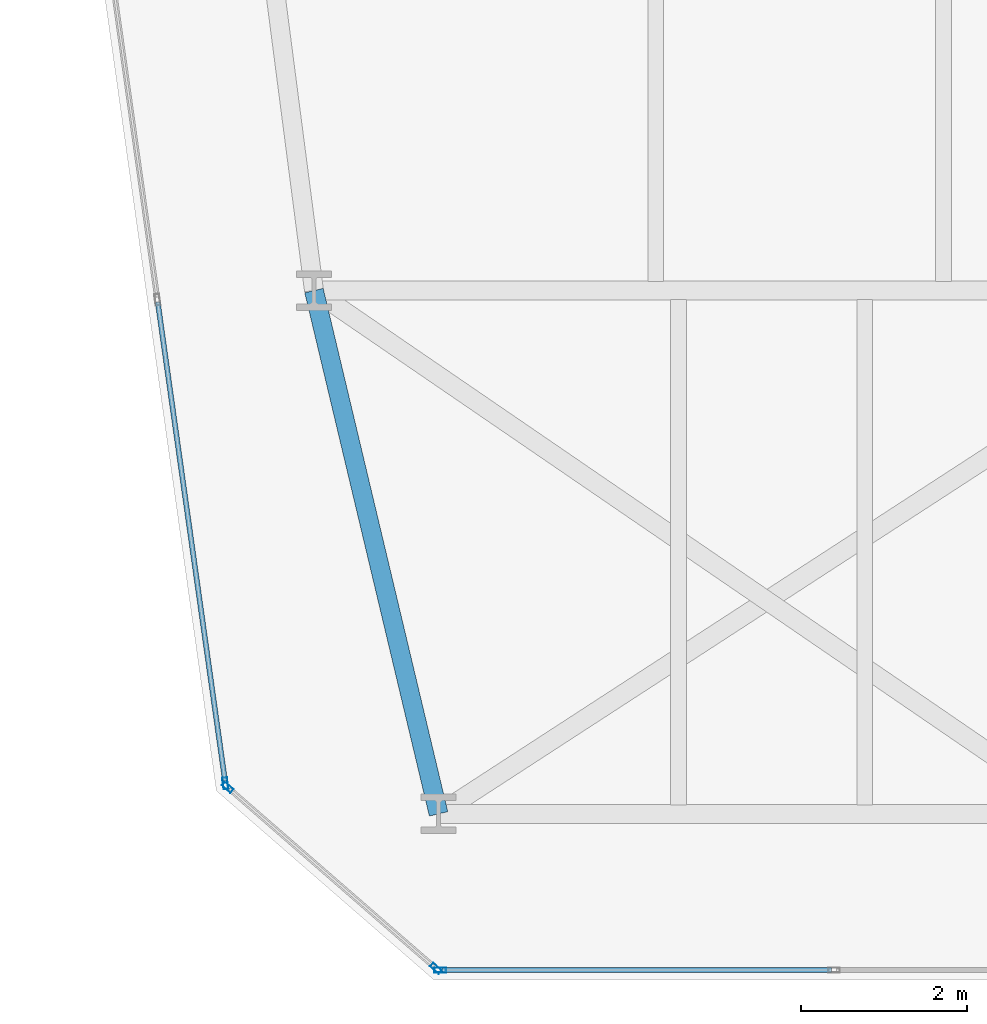
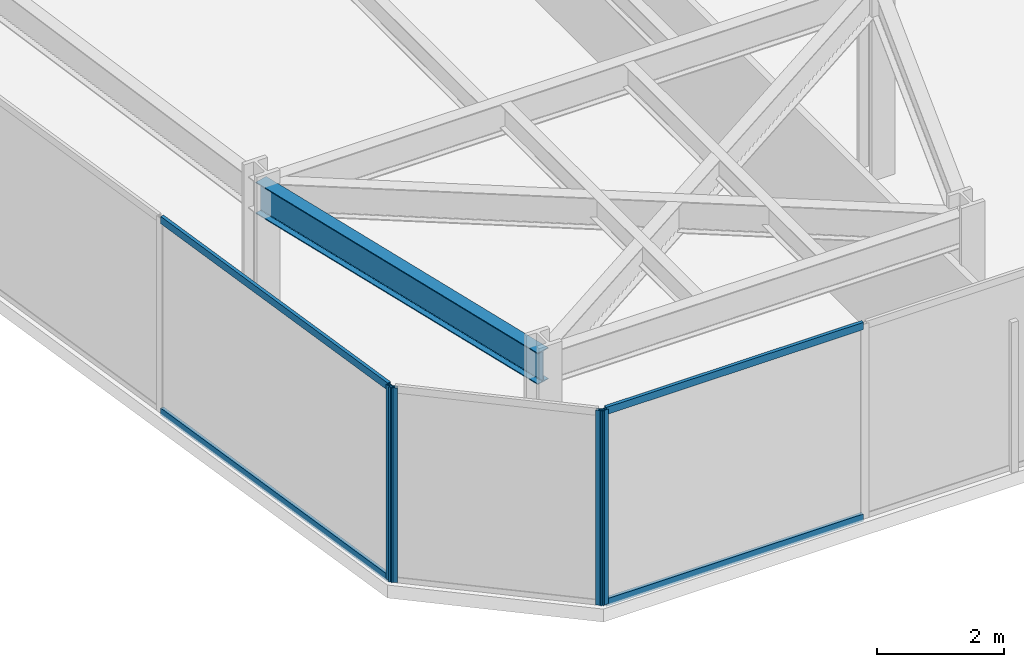
# One storey, part 2 of 26: 8 members, 1 beam, 3 elements without a shape of their own.
"""IFC4 building model written with IfcOpenShell, lengths in metres."""

from ifc_helpers import new_model, si_unit, direction, frame, origin, origin_2d, place, context, subcontext, project, spatial, hollow_rectangle, i_section, extrude, material, layer, layer_set, material_profile, profile_set, type_object, element, aggregate, save


model = new_model("IFC4")

# Units and contexts
model_context = context("Model", 3, precision=1e-05, world=origin(), true_north=direction((0.0, 1.0)))
body_context = subcontext(model_context, "Body", "Model", "MODEL_VIEW")
ifc_project = project(units=[si_unit("LENGTHUNIT", "METRE"), si_unit("AREAUNIT", "SQUARE_METRE"), si_unit("VOLUMEUNIT", "CUBIC_METRE"), si_unit("PLANEANGLEUNIT", "RADIAN"), si_unit("MASSUNIT", "GRAM", prefix="KILO")], contexts=[model_context])

# Site, building, storey
site_placement = place(None, origin())
site = spatial("IfcSite", under=ifc_project, at=site_placement, CompositionType="ELEMENT")
building_placement = place(site_placement, origin())
building = spatial("IfcBuilding", under=site, at=building_placement, Name="Kravanh Interchange Tower", CompositionType="ELEMENT")
storey_placement = place(building_placement, frame((0.0, 0.0, 108.0)))
storey = spatial("IfcBuildingStorey", under=building, at=storey_placement, Name="L25", CompositionType="ELEMENT", Elevation=108.0)

# Curtain wall, member
ifc_material_1 = material(Name="Anodised Bronze Aluminium", Category="aluminium")
ifc_layer = layer(ifc_material_1, 0.179931640625)
ifc_layer_set = layer_set([ifc_layer], Name="Unitised Curtain Wall System CW-Z2 Mid Office")
curtain_wall_type = type_object("IfcCurtainWallType", Name="Unitised Curtain Wall System CW-Z2 Mid Office", PredefinedType="NOTDEFINED", material=ifc_layer_set)
curtain_wall_1_placement = place(storey_placement, origin())
curtain_wall_1 = element("IfcCurtainWall", 1, at=curtain_wall_1_placement, inside=storey, type_object=curtain_wall_type, Name="L25 Unitised Curtain Wall CW-L25-01", PredefinedType="NOTDEFINED")
ifc_material_2 = material(Name="Anodised Bronze Aluminium", Category="aluminium")
ifc_material_profile_1 = material_profile(ifc_material_2, hollow_rectangle(XDim=0.06005859375, YDim=0.139892578125, WallThickness=0.00390625, at=origin_2d()), Name="ALU60X140X4")
ifc_profile_set_1 = profile_set([ifc_material_profile_1], Name="Anodised Bronze Aluminium")
member_type_1 = type_object("IfcMemberType", Name="Curtain Wall Mullion ALU60X140X4 Bronze", PredefinedType="MULLION", material=ifc_profile_set_1)
member_1_placement = place(storey_placement, frame((14.93310546875, 8.568359375, 0.0), z_axis=(0.0, 0.0, 1.0), x_axis=(-0.990268103846, -0.13917285118, 0.0)))
member_1 = element("IfcMember", 2, at=member_1_placement, type_object=member_type_1, Name="CW-Z2 mullion 1", PredefinedType="MULLION", context=body_context, shape_type="SweptSolid", body=[
    extrude(hollow_rectangle(XDim=0.06005859375, YDim=0.139892578125, WallThickness=0.00390625, at=origin_2d()), origin(), (0.0, 0.0, 1.0), 3.75),
])

curtain_wall_2_placement = place(storey_placement, origin())
curtain_wall_2 = element("IfcCurtainWall", 3, at=curtain_wall_2_placement, inside=storey, type_object=curtain_wall_type, Name="L25 Unitised Curtain Wall CW-L25-06", PredefinedType="NOTDEFINED")
member_2_placement = place(storey_placement, frame((17.519775390625, 6.320068359375, 0.0), z_axis=(0.0, 0.0, 1.0), x_axis=(0.0, -1.0, 0.0)))
member_2 = element("IfcMember", 4, at=member_2_placement, type_object=member_type_1, Name="CW-Z2 mullion 3", PredefinedType="MULLION", context=body_context, shape_type="SweptSolid", body=[
    extrude(hollow_rectangle(XDim=0.06005859375, YDim=0.139892578125, WallThickness=0.00390625, at=origin_2d()), origin(), (0.0, 0.0, 1.0), 3.75),
])

# Curtain wall, members
curtain_wall_3_placement = place(storey_placement, origin())
curtain_wall_3 = element("IfcCurtainWall", 5, at=curtain_wall_3_placement, inside=storey, type_object=curtain_wall_type, Name="L25 Unitised Curtain Wall CW-L25-07", PredefinedType="NOTDEFINED")
member_3_placement = place(storey_placement, frame((17.467041015625, 6.339599609375, 0.0), z_axis=(0.0, 0.0, 1.0), x_axis=(-0.656047665617, -0.754719458103, 0.0)))
member_3 = element("IfcMember", 6, at=member_3_placement, type_object=member_type_1, Name="CW-Z2 mullion 1", PredefinedType="MULLION", context=body_context, shape_type="SweptSolid", body=[
    extrude(hollow_rectangle(XDim=0.06005859375, YDim=0.139892578125, WallThickness=0.00390625, at=origin_2d()), origin(), (0.0, 0.0, 1.0), 3.75),
])
member_4_placement = place(storey_placement, frame((14.9599609375, 8.51904296875, 0.0), z_axis=(0.0, 0.0, 1.0), x_axis=(-0.656047665617, -0.754719458103, 0.0)))
member_4 = element("IfcMember", 7, at=member_4_placement, type_object=member_type_1, Name="CW-Z2 mullion 2", PredefinedType="MULLION", context=body_context, shape_type="SweptSolid", body=[
    extrude(hollow_rectangle(XDim=0.06005859375, YDim=0.139892578125, WallThickness=0.00390625, at=origin_2d()), origin(), (0.0, 0.0, 1.0), 3.75),
])
aggregate(curtain_wall_3, [member_3, member_4])

# Member
ifc_material_3 = material(Name="Anodised Bronze Aluminium", Category="aluminium")
ifc_material_profile_2 = material_profile(ifc_material_3, hollow_rectangle(XDim=0.06005859375, YDim=0.139892578125, WallThickness=0.00390625, at=origin_2d()), Name="ALU60X140X4")
ifc_profile_set_2 = profile_set([ifc_material_profile_2], Name="Anodised Bronze Aluminium")
member_type_2 = type_object("IfcMemberType", Name="Curtain Wall Transom ALU60X140X4 Bronze", PredefinedType="USERDEFINED", material=ifc_profile_set_2)
member_5_placement = place(storey_placement, frame((14.928955078125, 8.59814453125, 0.030029296875), z_axis=(-0.139148132783, 0.990271577469, 0.0), x_axis=(-0.990271577469, -0.139148132783, 0.0)))
member_5 = element("IfcMember", 8, at=member_5_placement, type_object=member_type_2, Name="CW-Z2 transom 1.1", ObjectType="TRANSOM", PredefinedType="USERDEFINED", context=body_context, shape_type="SweptSolid", body=[
    extrude(hollow_rectangle(XDim=0.06005859375, YDim=0.139892578125, WallThickness=0.00390625, at=origin_2d()), origin(), (0.0, 0.0, 1.0), 5.81982421875),
])

member_6_placement = place(storey_placement, frame((14.928955078125, 8.59814453125, 3.719970703125), z_axis=(-0.139148132783, 0.990271577469, 0.0), x_axis=(-0.990271577469, -0.139148132783, 0.0)))
member_6 = element("IfcMember", 9, at=member_6_placement, type_object=member_type_2, Name="CW-Z2 transom 1.2", ObjectType="TRANSOM", PredefinedType="USERDEFINED", context=body_context, shape_type="SweptSolid", body=[
    extrude(hollow_rectangle(XDim=0.06005859375, YDim=0.139892578125, WallThickness=0.00390625, at=origin_2d()), origin(), (0.0, 0.0, 1.0), 5.81982421875),
])

aggregate(curtain_wall_1, [member_1, member_5, member_6])

member_7_placement = place(storey_placement, frame((22.232177734375, 6.320068359375, 0.030029296875), z_axis=(-1.0, 0.0, 0.0), x_axis=(0.0, -1.0, 0.0)))
member_7 = element("IfcMember", 10, at=member_7_placement, type_object=member_type_2, Name="CW-Z2 transom 2.1", ObjectType="TRANSOM", PredefinedType="USERDEFINED", context=body_context, shape_type="SweptSolid", body=[
    extrude(hollow_rectangle(XDim=0.06005859375, YDim=0.139892578125, WallThickness=0.00390625, at=origin_2d()), origin(), (0.0, 0.0, 1.0), 4.682373046875),
])

member_8_placement = place(storey_placement, frame((22.232177734375, 6.320068359375, 3.719970703125), z_axis=(-1.0, 0.0, 0.0), x_axis=(0.0, -1.0, 0.0)))
member_8 = element("IfcMember", 11, at=member_8_placement, type_object=member_type_2, Name="CW-Z2 transom 2.2", ObjectType="TRANSOM", PredefinedType="USERDEFINED", context=body_context, shape_type="SweptSolid", body=[
    extrude(hollow_rectangle(XDim=0.06005859375, YDim=0.139892578125, WallThickness=0.00390625, at=origin_2d()), origin(), (0.0, 0.0, 1.0), 4.682373046875),
])

aggregate(curtain_wall_2, [member_2, member_7, member_8])

# Beam
ifc_material_4 = material(Name="Structural Steel S355", Category="steel")
ifc_material_profile_3 = material_profile(ifc_material_4, i_section(OverallWidth=0.22802734375, OverallDepth=0.60791015625, WebThickness=0.01123046875, FlangeThickness=0.017333984375, FilletRadius=0.02197265625, at=origin_2d()), Name="W24X76")
ifc_profile_set_3 = profile_set([ifc_material_profile_3], Name="Structural Steel S355")
beam_type = type_object("IfcBeamType", Name="Floor Spandrel W24X76 Structural Steel S355", PredefinedType="SPANDREL", material=ifc_profile_set_3)
beam_placement = place(storey_placement, frame((17.5, 8.199951171875, 3.446044921875), z_axis=(-0.231618828452, 0.972806619173, 0.0), x_axis=(-0.972806619173, -0.231618828452, 0.0)))
element("IfcBeam", 12, at=beam_placement, inside=storey, type_object=beam_type, Name="L25 Perimeter Spandrel 34", PredefinedType="SPANDREL", context=body_context, shape_type="SweptSolid", body=[
    extrude(i_section(OverallWidth=0.22802734375, OverallDepth=0.60791015625, WebThickness=0.01123046875, FlangeThickness=0.017333984375, FilletRadius=0.02197265625, at=origin_2d()), origin(), (0.0, 0.0, 1.0), 6.47607421875),
])

save(model, "model.ifc")
